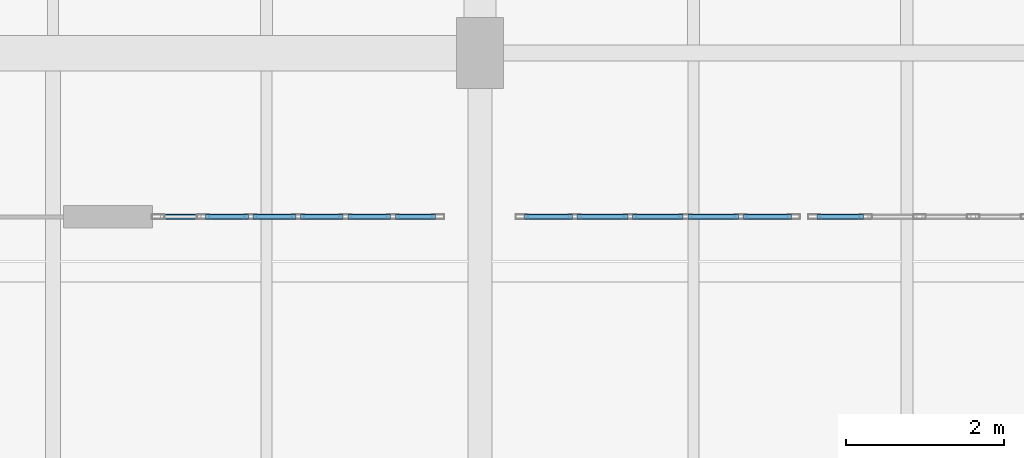
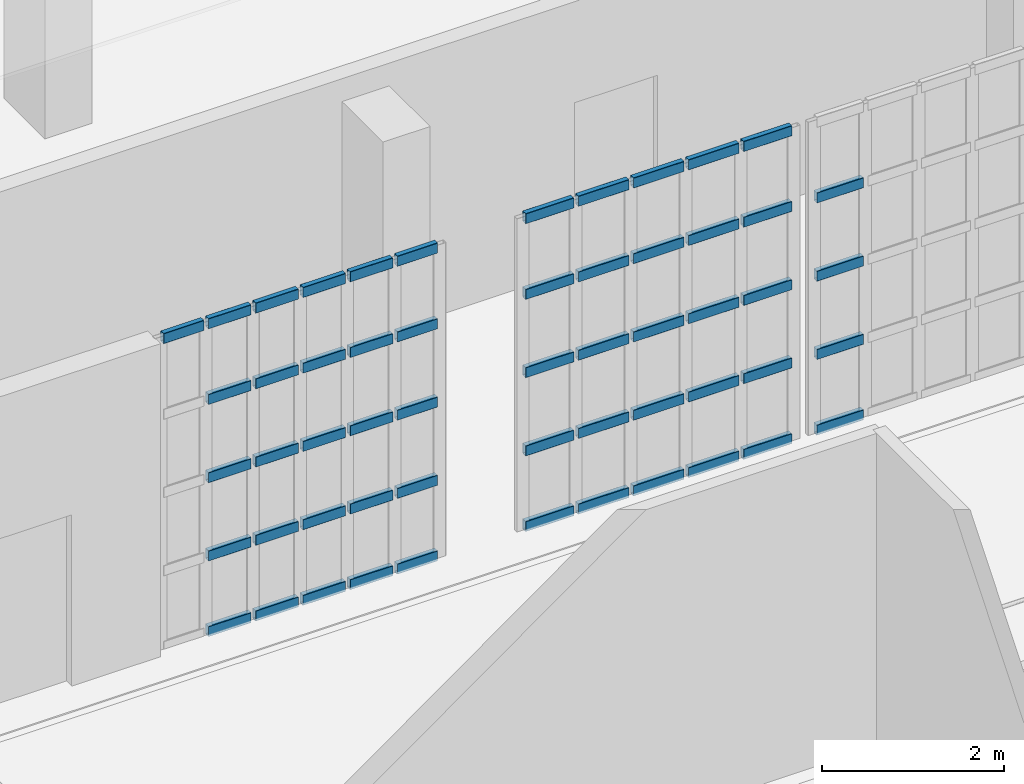
# One storey, part 39 of 73: 55 members, 3 elements without a shape of their own.
"""IFC4 building model written with IfcOpenShell, lengths in metres."""

import ifcopenshell
import ifcopenshell.guid

model = None  # the IFC model being written
_history = None  # IfcOwnerHistory: only IFC2X3 demands one
_inside = {}  # id of a spatial element -> (the spatial element, [elements in it])
_under = {}  # id of a project, library or spatial element -> (it, [spatial elements below it])
_declared = {}  # id of a project -> (the project, [libraries it declares])
_typed = {}  # id of a type object -> (the type object, [elements of that type])
_made_of = {}  # id of a material, layer set ... -> (it, [elements and type objects made of it])


def new_model(schema):
    """Start an empty IFC model of exactly this schema.

    Asked for "IFC4X3", IfcOpenShell would pick the latest addendum, in which some entities
    have other attributes; the version numbers below select the first issue.
    IFC2X3 requires an IfcOwnerHistory on every rooted entity: one is made here for all.
    """
    global model, _history
    if schema == "IFC4X3":
        model = ifcopenshell.file(schema_version=(4, 3, 0, 0))
    else:
        model = ifcopenshell.file(schema=schema)
    _inside.clear()
    _under.clear()
    _declared.clear()
    _typed.clear()
    _made_of.clear()
    _history = None
    if model.schema == "IFC2X3":
        org = make("IfcOrganization", Name="unknown")
        user = make(
            "IfcPersonAndOrganization",
            ThePerson=make("IfcPerson", FamilyName="unknown"),
            TheOrganization=org,
        )
        app = make(
            "IfcApplication",
            ApplicationDeveloper=org,
            Version="unknown",
            ApplicationFullName="unknown",
            ApplicationIdentifier="unknown",
        )
        _history = make(
            "IfcOwnerHistory",
            OwningUser=user,
            OwningApplication=app,
            ChangeAction="ADDED",
            CreationDate=0,
        )
    return model


def make(cls, **values):
    """One entity of the class cls with the attributes given. An attribute that is None is left unset."""
    return model.create_entity(
        cls, **{name: value for name, value in values.items() if value is not None}
    )


def rooted(cls, **values):
    """An entity with a GlobalId (a new one), such as an element, a storey or a relation."""
    return make(cls, GlobalId=ifcopenshell.guid.new(), OwnerHistory=_history, **values)


def si_unit(unit_type, name, prefix=None):
    """IfcSIUnit, for example si_unit("LENGTHUNIT", "METRE", prefix="MILLI")."""
    return make("IfcSIUnit", UnitType=unit_type, Prefix=prefix, Name=name)


def assignment(units):
    """IfcUnitAssignment: the units of a project."""
    return None if units is None else make("IfcUnitAssignment", Units=units)


def point(xyz):
    """IfcCartesianPoint."""
    return None if xyz is None else make("IfcCartesianPoint", Coordinates=xyz)


def direction(xyz):
    """IfcDirection."""
    return None if xyz is None else make("IfcDirection", DirectionRatios=xyz)


def frame(location, z_axis=None, x_axis=None):
    """IfcAxis2Placement3D, a coordinate frame: its origin and axes. An axis left out is left unset."""
    return make(
        "IfcAxis2Placement3D",
        Location=point(location),
        Axis=direction(z_axis),
        RefDirection=direction(x_axis),
    )


def frame_2d(location, x_axis=None):
    """IfcAxis2Placement2D, a coordinate frame in the plane: its origin and x axis."""
    return make(
        "IfcAxis2Placement2D", Location=point(location), RefDirection=direction(x_axis)
    )


def origin():
    """The frame at (0, 0, 0) with its axes left unset."""
    return frame((0.0, 0.0, 0.0))


def origin_2d():
    """The frame at (0, 0) in the plane with its x axis left unset."""
    return frame_2d((0.0, 0.0))


def place(relative_to, where):
    """IfcLocalPlacement: puts the frame where relative to a parent placement (None: the world)."""
    return make(
        "IfcLocalPlacement", PlacementRelTo=relative_to, RelativePlacement=where
    )


def context(
    kind, dimensions, precision=None, world=None, true_north=None, identifier=None
):
    """IfcGeometricRepresentationContext, for example the 3D "Model" context."""
    return make(
        "IfcGeometricRepresentationContext",
        ContextIdentifier=identifier,
        ContextType=kind,
        CoordinateSpaceDimension=dimensions,
        Precision=precision,
        WorldCoordinateSystem=world,
        TrueNorth=true_north,
    )


def subcontext(parent, identifier, kind, view, scale=None):
    """IfcGeometricRepresentationSubContext, for example "Body" below "Model"."""
    return make(
        "IfcGeometricRepresentationSubContext",
        ContextIdentifier=identifier,
        ContextType=kind,
        ParentContext=parent,
        TargetScale=scale,
        TargetView=view,
    )


def project(units=None, contexts=None):
    """IfcProject with its units and contexts."""
    return rooted(
        "IfcProject",
        Name="project",
        RepresentationContexts=contexts,
        UnitsInContext=assignment(units),
    )


def spatial(cls, under=None, at=None, **own):
    """A site, building, storey or space (cls), placed at a placement, below another one or the project."""
    s = rooted(cls, ObjectPlacement=at, **own)
    if under is not None:
        _under.setdefault(under.id(), (under, []))[1].append(s)
    return s


def profile(cls, at=None, kind="AREA", **sizes):
    """A parametric profile (cls). Its sizes go by their IFC names, for example OverallWidth=200.0."""
    return make(cls, ProfileType=kind, Position=at, **sizes)


def hollow_rectangle(**sizes):
    """IfcRectangleHollowProfileDef."""
    return profile("IfcRectangleHollowProfileDef", **sizes)


def extrude(swept, where, along, depth):
    """IfcExtrudedAreaSolid: the profile swept, set in the frame where, extruded along a direction by depth."""
    return make(
        "IfcExtrudedAreaSolid",
        SweptArea=swept,
        Position=where,
        ExtrudedDirection=direction(along),
        Depth=depth,
    )


def shape(context_of_items, identifier, shape_type, items):
    """IfcShapeRepresentation: the items that make up one representation, for example the "Body"."""
    return make(
        "IfcShapeRepresentation",
        ContextOfItems=context_of_items,
        RepresentationIdentifier=identifier,
        RepresentationType=shape_type,
        Items=items,
    )


def material(Name=None, Category=None):
    """IfcMaterial."""
    return make("IfcMaterial", Name=Name, Category=Category)


def material_profile(
    of_material, cross_section, Name=None, Category=None, Priority=None
):
    """IfcMaterialProfile: a cross section and its material."""
    return make(
        "IfcMaterialProfile",
        Name=Name,
        Material=of_material,
        Profile=cross_section,
        Priority=Priority,
        Category=Category,
    )


def profile_set(profiles, Name=None, composite=None):
    """IfcMaterialProfileSet."""
    return make(
        "IfcMaterialProfileSet",
        Name=Name,
        MaterialProfiles=profiles,
        CompositeProfile=composite,
    )


def made_of(thing, what):
    """Note that an element or type object is made of a material, layer set ...; save() writes the relation."""
    if what is not None:
        _made_of.setdefault(what.id(), (what, []))[1].append(thing)
    return thing


def type_object(cls, material=None, **own):
    """A type object (cls), such as IfcWallType, which elements share."""
    return made_of(rooted(cls, **own), material)


def element(
    cls,
    number,
    at=None,
    inside=None,
    cuts=None,
    type_object=None,
    material=None,
    context=None,
    identifier="Body",
    shape_type=None,
    held_by="IfcProductDefinitionShape",
    body=None,
    shapes=None,
    **own,
):
    """One element of the class cls, such as IfcWall. Its Tag is "e" and its number.

    at: its placement. inside: the storey or other place that contains it. cuts: it is an
    opening in that element (IfcRelVoidsElement). A single representation is given by context,
    identifier, shape_type and body (its items); several are given by shapes. held_by: the class
    of the entity that holds the representations. save() writes the other relations.
    """
    e = rooted(cls, Tag="e%d" % number, ObjectPlacement=at, **own)
    if body is not None:
        shapes = [shape(context, identifier, shape_type, body)]
    if shapes is not None:
        e.Representation = make(held_by, Representations=shapes)
    if inside is not None:
        _inside.setdefault(inside.id(), (inside, []))[1].append(e)
    if cuts is not None:
        rooted(
            "IfcRelVoidsElement", RelatingBuildingElement=cuts, RelatedOpeningElement=e
        )
    if type_object is not None:
        _typed.setdefault(type_object.id(), (type_object, []))[1].append(e)
    return made_of(e, material)


def aggregate(whole, parts):
    """IfcRelAggregates: a whole, such as a stair, and the parts it consists of."""
    return rooted("IfcRelAggregates", RelatingObject=whole, RelatedObjects=parts)


def save(model, path):
    """Write the relations noted so far, then the file.

    IfcRelAggregates (storeys below a building ...), IfcRelContainedInSpatialStructure (elements
    in a storey), IfcRelDefinesByType, IfcRelAssociatesMaterial and IfcRelDeclares: one each for
    every whole, place, type object, material and project.
    """
    for whole, parts in _under.values():
        aggregate(whole, parts)
    for where, things in _inside.values():
        rooted(
            "IfcRelContainedInSpatialStructure",
            RelatedElements=things,
            RelatingStructure=where,
        )
    for kind, things in _typed.values():
        rooted("IfcRelDefinesByType", RelatedObjects=things, RelatingType=kind)
    for what, things in _made_of.values():
        rooted("IfcRelAssociatesMaterial", RelatedObjects=things, RelatingMaterial=what)
    for by, libraries in _declared.values():
        rooted("IfcRelDeclares", RelatingContext=by, RelatedDefinitions=libraries)
    model.write(path)


model = new_model("IFC4")

# Units and contexts
model_context = context("Model", 3, precision=1e-05, world=origin(), true_north=direction((0.0, 1.0)))
body_context = subcontext(model_context, "Body", "Model", "MODEL_VIEW")
ifc_project = project(units=[si_unit("LENGTHUNIT", "METRE"), si_unit("AREAUNIT", "SQUARE_METRE"), si_unit("VOLUMEUNIT", "CUBIC_METRE"), si_unit("PLANEANGLEUNIT", "RADIAN"), si_unit("MASSUNIT", "GRAM", prefix="KILO")], contexts=[model_context])

# Site, building, storey
site_placement = place(None, origin())
site = spatial("IfcSite", under=ifc_project, at=site_placement, CompositionType="ELEMENT")
building_placement = place(site_placement, origin())
building = spatial("IfcBuilding", under=site, at=building_placement, Name="Kaelora Sail Theatre", CompositionType="ELEMENT")
storey_placement = place(building_placement, frame((0.0, 0.0, 10.199951171875)))
storey = spatial("IfcBuildingStorey", under=building, at=storey_placement, Name="L02", CompositionType="ELEMENT", Elevation=10.199951171875)

# Curtain wall, members
ifc_material_1 = material(Name="Anodised aluminium and solar-control low-E IGU", Category="aluminium")
curtain_wall_type = type_object("IfcCurtainWallType", Name="ARC-CW-CW-BRG", PredefinedType="NOTDEFINED", material=ifc_material_1)
curtain_wall_1_placement = place(storey_placement, origin())
curtain_wall_1 = element("IfcCurtainWall", 1, at=curtain_wall_1_placement, inside=storey, type_object=curtain_wall_type, Name="Glazed Foyer/Conservatory Curtain Wall FC2-S-L02-01", PredefinedType="NOTDEFINED")
ifc_material_2 = material(Name="Anodised aluminium 6063-T6", Category="aluminium")
ifc_material_profile = material_profile(ifc_material_2, hollow_rectangle(XDim=0.070068359375, YDim=0.139892578125, WallThickness=0.00390625, InnerFilletRadius=0.00390625, OuterFilletRadius=0.008056640625, at=origin_2d()), Name="ALU-TRAN 70x140x4")
ifc_profile_set = profile_set([ifc_material_profile], Name="Anodised aluminium 6063-T6")
member_type = type_object("IfcMemberType", Name="ARC-MEM-TR-140", PredefinedType="USERDEFINED", material=ifc_profile_set)
member_1_placement = place(storey_placement, frame((94.659912109375, 66.389892578125, 4.170166015625), z_axis=(1.0, 0.0, 0.0), x_axis=(0.0, 1.0, 0.0)))
member_1 = element("IfcMember", 2, at=member_1_placement, type_object=member_type, Name="CW-BRG transom 1.5", ObjectType="TRANSOM", PredefinedType="USERDEFINED", context=body_context, shape_type="SweptSolid", body=[
    extrude(hollow_rectangle(XDim=0.070068359375, YDim=0.139892578125, WallThickness=0.00390625, InnerFilletRadius=0.00390625, OuterFilletRadius=0.008056640625, at=origin_2d()), origin(), (0.0, 0.0, 1.0), 0.510009765625),
])
member_2_placement = place(storey_placement, frame((95.22998046875, 66.389892578125, 0.03515625), z_axis=(1.0, 0.0, 0.0), x_axis=(0.0, 1.0, 0.0)))
member_2 = element("IfcMember", 3, at=member_2_placement, type_object=member_type, Name="CW-BRG transom 2.1", ObjectType="TRANSOM", PredefinedType="USERDEFINED", context=body_context, shape_type="SweptSolid", body=[
    extrude(hollow_rectangle(XDim=0.070068359375, YDim=0.139892578125, WallThickness=0.00390625, InnerFilletRadius=0.00390625, OuterFilletRadius=0.008056640625, at=origin_2d()), origin(), (0.0, 0.0, 1.0), 0.5400390625),
])
member_3_placement = place(storey_placement, frame((95.22998046875, 66.389892578125, 1.05126953125), z_axis=(1.0, 0.0, 0.0), x_axis=(0.0, 1.0, 0.0)))
member_3 = element("IfcMember", 4, at=member_3_placement, type_object=member_type, Name="CW-BRG transom 2.2", ObjectType="TRANSOM", PredefinedType="USERDEFINED", context=body_context, shape_type="SweptSolid", body=[
    extrude(hollow_rectangle(XDim=0.070068359375, YDim=0.139892578125, WallThickness=0.00390625, InnerFilletRadius=0.00390625, OuterFilletRadius=0.008056640625, at=origin_2d()), origin(), (0.0, 0.0, 1.0), 0.5400390625),
])
member_4_placement = place(storey_placement, frame((95.22998046875, 66.389892578125, 2.1025390625), z_axis=(1.0, 0.0, 0.0), x_axis=(0.0, 1.0, 0.0)))
member_4 = element("IfcMember", 5, at=member_4_placement, type_object=member_type, Name="CW-BRG transom 2.3", ObjectType="TRANSOM", PredefinedType="USERDEFINED", context=body_context, shape_type="SweptSolid", body=[
    extrude(hollow_rectangle(XDim=0.070068359375, YDim=0.139892578125, WallThickness=0.00390625, InnerFilletRadius=0.00390625, OuterFilletRadius=0.008056640625, at=origin_2d()), origin(), (0.0, 0.0, 1.0), 0.5400390625),
])
member_5_placement = place(storey_placement, frame((95.22998046875, 66.389892578125, 3.15380859375), z_axis=(1.0, 0.0, 0.0), x_axis=(0.0, 1.0, 0.0)))
member_5 = element("IfcMember", 6, at=member_5_placement, type_object=member_type, Name="CW-BRG transom 2.4", ObjectType="TRANSOM", PredefinedType="USERDEFINED", context=body_context, shape_type="SweptSolid", body=[
    extrude(hollow_rectangle(XDim=0.070068359375, YDim=0.139892578125, WallThickness=0.00390625, InnerFilletRadius=0.00390625, OuterFilletRadius=0.008056640625, at=origin_2d()), origin(), (0.0, 0.0, 1.0), 0.5400390625),
])
member_6_placement = place(storey_placement, frame((95.22998046875, 66.389892578125, 4.170166015625), z_axis=(1.0, 0.0, 0.0), x_axis=(0.0, 1.0, 0.0)))
member_6 = element("IfcMember", 7, at=member_6_placement, type_object=member_type, Name="CW-BRG transom 2.5", ObjectType="TRANSOM", PredefinedType="USERDEFINED", context=body_context, shape_type="SweptSolid", body=[
    extrude(hollow_rectangle(XDim=0.070068359375, YDim=0.139892578125, WallThickness=0.00390625, InnerFilletRadius=0.00390625, OuterFilletRadius=0.008056640625, at=origin_2d()), origin(), (0.0, 0.0, 1.0), 0.5400390625),
])
member_7_placement = place(storey_placement, frame((95.830078125, 66.389892578125, 0.03515625), z_axis=(1.0, 0.0, 0.0), x_axis=(0.0, 1.0, 0.0)))
member_7 = element("IfcMember", 8, at=member_7_placement, type_object=member_type, Name="CW-BRG transom 3.1", ObjectType="TRANSOM", PredefinedType="USERDEFINED", context=body_context, shape_type="SweptSolid", body=[
    extrude(hollow_rectangle(XDim=0.070068359375, YDim=0.139892578125, WallThickness=0.00390625, InnerFilletRadius=0.00390625, OuterFilletRadius=0.008056640625, at=origin_2d()), origin(), (0.0, 0.0, 1.0), 0.5400390625),
])
member_8_placement = place(storey_placement, frame((95.830078125, 66.389892578125, 1.05126953125), z_axis=(1.0, 0.0, 0.0), x_axis=(0.0, 1.0, 0.0)))
member_8 = element("IfcMember", 9, at=member_8_placement, type_object=member_type, Name="CW-BRG transom 3.2", ObjectType="TRANSOM", PredefinedType="USERDEFINED", context=body_context, shape_type="SweptSolid", body=[
    extrude(hollow_rectangle(XDim=0.070068359375, YDim=0.139892578125, WallThickness=0.00390625, InnerFilletRadius=0.00390625, OuterFilletRadius=0.008056640625, at=origin_2d()), origin(), (0.0, 0.0, 1.0), 0.5400390625),
])
member_9_placement = place(storey_placement, frame((95.830078125, 66.389892578125, 2.1025390625), z_axis=(1.0, 0.0, 0.0), x_axis=(0.0, 1.0, 0.0)))
member_9 = element("IfcMember", 10, at=member_9_placement, type_object=member_type, Name="CW-BRG transom 3.3", ObjectType="TRANSOM", PredefinedType="USERDEFINED", context=body_context, shape_type="SweptSolid", body=[
    extrude(hollow_rectangle(XDim=0.070068359375, YDim=0.139892578125, WallThickness=0.00390625, InnerFilletRadius=0.00390625, OuterFilletRadius=0.008056640625, at=origin_2d()), origin(), (0.0, 0.0, 1.0), 0.5400390625),
])
member_10_placement = place(storey_placement, frame((95.830078125, 66.389892578125, 3.15380859375), z_axis=(1.0, 0.0, 0.0), x_axis=(0.0, 1.0, 0.0)))
member_10 = element("IfcMember", 11, at=member_10_placement, type_object=member_type, Name="CW-BRG transom 3.4", ObjectType="TRANSOM", PredefinedType="USERDEFINED", context=body_context, shape_type="SweptSolid", body=[
    extrude(hollow_rectangle(XDim=0.070068359375, YDim=0.139892578125, WallThickness=0.00390625, InnerFilletRadius=0.00390625, OuterFilletRadius=0.008056640625, at=origin_2d()), origin(), (0.0, 0.0, 1.0), 0.5400390625),
])
member_11_placement = place(storey_placement, frame((95.830078125, 66.389892578125, 4.170166015625), z_axis=(1.0, 0.0, 0.0), x_axis=(0.0, 1.0, 0.0)))
member_11 = element("IfcMember", 12, at=member_11_placement, type_object=member_type, Name="CW-BRG transom 3.5", ObjectType="TRANSOM", PredefinedType="USERDEFINED", context=body_context, shape_type="SweptSolid", body=[
    extrude(hollow_rectangle(XDim=0.070068359375, YDim=0.139892578125, WallThickness=0.00390625, InnerFilletRadius=0.00390625, OuterFilletRadius=0.008056640625, at=origin_2d()), origin(), (0.0, 0.0, 1.0), 0.5400390625),
])
member_12_placement = place(storey_placement, frame((96.429931640625, 66.389892578125, 0.03515625), z_axis=(1.0, 0.0, 0.0), x_axis=(0.0, 1.0, 0.0)))
member_12 = element("IfcMember", 13, at=member_12_placement, type_object=member_type, Name="CW-BRG transom 4.1", ObjectType="TRANSOM", PredefinedType="USERDEFINED", context=body_context, shape_type="SweptSolid", body=[
    extrude(hollow_rectangle(XDim=0.070068359375, YDim=0.139892578125, WallThickness=0.00390625, InnerFilletRadius=0.00390625, OuterFilletRadius=0.008056640625, at=origin_2d()), origin(), (0.0, 0.0, 1.0), 0.5400390625),
])
member_13_placement = place(storey_placement, frame((96.429931640625, 66.389892578125, 1.05126953125), z_axis=(1.0, 0.0, 0.0), x_axis=(0.0, 1.0, 0.0)))
member_13 = element("IfcMember", 14, at=member_13_placement, type_object=member_type, Name="CW-BRG transom 4.2", ObjectType="TRANSOM", PredefinedType="USERDEFINED", context=body_context, shape_type="SweptSolid", body=[
    extrude(hollow_rectangle(XDim=0.070068359375, YDim=0.139892578125, WallThickness=0.00390625, InnerFilletRadius=0.00390625, OuterFilletRadius=0.008056640625, at=origin_2d()), origin(), (0.0, 0.0, 1.0), 0.5400390625),
])
member_14_placement = place(storey_placement, frame((96.429931640625, 66.389892578125, 2.1025390625), z_axis=(1.0, 0.0, 0.0), x_axis=(0.0, 1.0, 0.0)))
member_14 = element("IfcMember", 15, at=member_14_placement, type_object=member_type, Name="CW-BRG transom 4.3", ObjectType="TRANSOM", PredefinedType="USERDEFINED", context=body_context, shape_type="SweptSolid", body=[
    extrude(hollow_rectangle(XDim=0.070068359375, YDim=0.139892578125, WallThickness=0.00390625, InnerFilletRadius=0.00390625, OuterFilletRadius=0.008056640625, at=origin_2d()), origin(), (0.0, 0.0, 1.0), 0.5400390625),
])
member_15_placement = place(storey_placement, frame((96.429931640625, 66.389892578125, 3.15380859375), z_axis=(1.0, 0.0, 0.0), x_axis=(0.0, 1.0, 0.0)))
member_15 = element("IfcMember", 16, at=member_15_placement, type_object=member_type, Name="CW-BRG transom 4.4", ObjectType="TRANSOM", PredefinedType="USERDEFINED", context=body_context, shape_type="SweptSolid", body=[
    extrude(hollow_rectangle(XDim=0.070068359375, YDim=0.139892578125, WallThickness=0.00390625, InnerFilletRadius=0.00390625, OuterFilletRadius=0.008056640625, at=origin_2d()), origin(), (0.0, 0.0, 1.0), 0.5400390625),
])
member_16_placement = place(storey_placement, frame((96.429931640625, 66.389892578125, 4.170166015625), z_axis=(1.0, 0.0, 0.0), x_axis=(0.0, 1.0, 0.0)))
member_16 = element("IfcMember", 17, at=member_16_placement, type_object=member_type, Name="CW-BRG transom 4.5", ObjectType="TRANSOM", PredefinedType="USERDEFINED", context=body_context, shape_type="SweptSolid", body=[
    extrude(hollow_rectangle(XDim=0.070068359375, YDim=0.139892578125, WallThickness=0.00390625, InnerFilletRadius=0.00390625, OuterFilletRadius=0.008056640625, at=origin_2d()), origin(), (0.0, 0.0, 1.0), 0.5400390625),
])
member_17_placement = place(storey_placement, frame((97.030029296875, 66.389892578125, 0.03515625), z_axis=(1.0, 0.0, 0.0), x_axis=(0.0, 1.0, 0.0)))
member_17 = element("IfcMember", 18, at=member_17_placement, type_object=member_type, Name="CW-BRG transom 5.1", ObjectType="TRANSOM", PredefinedType="USERDEFINED", context=body_context, shape_type="SweptSolid", body=[
    extrude(hollow_rectangle(XDim=0.070068359375, YDim=0.139892578125, WallThickness=0.00390625, InnerFilletRadius=0.00390625, OuterFilletRadius=0.008056640625, at=origin_2d()), origin(), (0.0, 0.0, 1.0), 0.5400390625),
])
member_18_placement = place(storey_placement, frame((97.030029296875, 66.389892578125, 1.05126953125), z_axis=(1.0, 0.0, 0.0), x_axis=(0.0, 1.0, 0.0)))
member_18 = element("IfcMember", 19, at=member_18_placement, type_object=member_type, Name="CW-BRG transom 5.2", ObjectType="TRANSOM", PredefinedType="USERDEFINED", context=body_context, shape_type="SweptSolid", body=[
    extrude(hollow_rectangle(XDim=0.070068359375, YDim=0.139892578125, WallThickness=0.00390625, InnerFilletRadius=0.00390625, OuterFilletRadius=0.008056640625, at=origin_2d()), origin(), (0.0, 0.0, 1.0), 0.5400390625),
])
member_19_placement = place(storey_placement, frame((97.030029296875, 66.389892578125, 2.1025390625), z_axis=(1.0, 0.0, 0.0), x_axis=(0.0, 1.0, 0.0)))
member_19 = element("IfcMember", 20, at=member_19_placement, type_object=member_type, Name="CW-BRG transom 5.3", ObjectType="TRANSOM", PredefinedType="USERDEFINED", context=body_context, shape_type="SweptSolid", body=[
    extrude(hollow_rectangle(XDim=0.070068359375, YDim=0.139892578125, WallThickness=0.00390625, InnerFilletRadius=0.00390625, OuterFilletRadius=0.008056640625, at=origin_2d()), origin(), (0.0, 0.0, 1.0), 0.5400390625),
])
member_20_placement = place(storey_placement, frame((97.030029296875, 66.389892578125, 3.15380859375), z_axis=(1.0, 0.0, 0.0), x_axis=(0.0, 1.0, 0.0)))
member_20 = element("IfcMember", 21, at=member_20_placement, type_object=member_type, Name="CW-BRG transom 5.4", ObjectType="TRANSOM", PredefinedType="USERDEFINED", context=body_context, shape_type="SweptSolid", body=[
    extrude(hollow_rectangle(XDim=0.070068359375, YDim=0.139892578125, WallThickness=0.00390625, InnerFilletRadius=0.00390625, OuterFilletRadius=0.008056640625, at=origin_2d()), origin(), (0.0, 0.0, 1.0), 0.5400390625),
])
member_21_placement = place(storey_placement, frame((97.030029296875, 66.389892578125, 4.170166015625), z_axis=(1.0, 0.0, 0.0), x_axis=(0.0, 1.0, 0.0)))
member_21 = element("IfcMember", 22, at=member_21_placement, type_object=member_type, Name="CW-BRG transom 5.5", ObjectType="TRANSOM", PredefinedType="USERDEFINED", context=body_context, shape_type="SweptSolid", body=[
    extrude(hollow_rectangle(XDim=0.070068359375, YDim=0.139892578125, WallThickness=0.00390625, InnerFilletRadius=0.00390625, OuterFilletRadius=0.008056640625, at=origin_2d()), origin(), (0.0, 0.0, 1.0), 0.5400390625),
])
member_22_placement = place(storey_placement, frame((97.6298828125, 66.389892578125, 0.03515625), z_axis=(1.0, 0.0, 0.0), x_axis=(0.0, 1.0, 0.0)))
member_22 = element("IfcMember", 23, at=member_22_placement, type_object=member_type, Name="CW-BRG transom 6.1", ObjectType="TRANSOM", PredefinedType="USERDEFINED", context=body_context, shape_type="SweptSolid", body=[
    extrude(hollow_rectangle(XDim=0.070068359375, YDim=0.139892578125, WallThickness=0.00390625, InnerFilletRadius=0.00390625, OuterFilletRadius=0.008056640625, at=origin_2d()), origin(), (0.0, 0.0, 1.0), 0.510009765625),
])
member_23_placement = place(storey_placement, frame((97.6298828125, 66.389892578125, 1.05126953125), z_axis=(1.0, 0.0, 0.0), x_axis=(0.0, 1.0, 0.0)))
member_23 = element("IfcMember", 24, at=member_23_placement, type_object=member_type, Name="CW-BRG transom 6.2", ObjectType="TRANSOM", PredefinedType="USERDEFINED", context=body_context, shape_type="SweptSolid", body=[
    extrude(hollow_rectangle(XDim=0.070068359375, YDim=0.139892578125, WallThickness=0.00390625, InnerFilletRadius=0.00390625, OuterFilletRadius=0.008056640625, at=origin_2d()), origin(), (0.0, 0.0, 1.0), 0.510009765625),
])
member_24_placement = place(storey_placement, frame((97.6298828125, 66.389892578125, 2.1025390625), z_axis=(1.0, 0.0, 0.0), x_axis=(0.0, 1.0, 0.0)))
member_24 = element("IfcMember", 25, at=member_24_placement, type_object=member_type, Name="CW-BRG transom 6.3", ObjectType="TRANSOM", PredefinedType="USERDEFINED", context=body_context, shape_type="SweptSolid", body=[
    extrude(hollow_rectangle(XDim=0.070068359375, YDim=0.139892578125, WallThickness=0.00390625, InnerFilletRadius=0.00390625, OuterFilletRadius=0.008056640625, at=origin_2d()), origin(), (0.0, 0.0, 1.0), 0.510009765625),
])
member_25_placement = place(storey_placement, frame((97.6298828125, 66.389892578125, 3.15380859375), z_axis=(1.0, 0.0, 0.0), x_axis=(0.0, 1.0, 0.0)))
member_25 = element("IfcMember", 26, at=member_25_placement, type_object=member_type, Name="CW-BRG transom 6.4", ObjectType="TRANSOM", PredefinedType="USERDEFINED", context=body_context, shape_type="SweptSolid", body=[
    extrude(hollow_rectangle(XDim=0.070068359375, YDim=0.139892578125, WallThickness=0.00390625, InnerFilletRadius=0.00390625, OuterFilletRadius=0.008056640625, at=origin_2d()), origin(), (0.0, 0.0, 1.0), 0.510009765625),
])
member_26_placement = place(storey_placement, frame((97.6298828125, 66.389892578125, 4.170166015625), z_axis=(1.0, 0.0, 0.0), x_axis=(0.0, 1.0, 0.0)))
member_26 = element("IfcMember", 27, at=member_26_placement, type_object=member_type, Name="CW-BRG transom 6.5", ObjectType="TRANSOM", PredefinedType="USERDEFINED", context=body_context, shape_type="SweptSolid", body=[
    extrude(hollow_rectangle(XDim=0.070068359375, YDim=0.139892578125, WallThickness=0.00390625, InnerFilletRadius=0.00390625, OuterFilletRadius=0.008056640625, at=origin_2d()), origin(), (0.0, 0.0, 1.0), 0.510009765625),
])
aggregate(curtain_wall_1, [member_1, member_2, member_3, member_4, member_5, member_6, member_7, member_8, member_9, member_10, member_11, member_12, member_13, member_14, member_15, member_16, member_17, member_18, member_19, member_20, member_21, member_22, member_23, member_24, member_25, member_26])

curtain_wall_2_placement = place(storey_placement, origin())
curtain_wall_2 = element("IfcCurtainWall", 28, at=curtain_wall_2_placement, inside=storey, type_object=curtain_wall_type, Name="Glazed Foyer/Conservatory Curtain Wall FC2-S-L02-02", PredefinedType="NOTDEFINED")
member_27_placement = place(storey_placement, frame((99.260009765625, 66.389892578125, 0.03515625), z_axis=(1.0, 0.0, 0.0), x_axis=(0.0, 1.0, 0.0)))
member_27 = element("IfcMember", 29, at=member_27_placement, type_object=member_type, Name="CW-BRG transom 1.1", ObjectType="TRANSOM", PredefinedType="USERDEFINED", context=body_context, shape_type="SweptSolid", body=[
    extrude(hollow_rectangle(XDim=0.070068359375, YDim=0.139892578125, WallThickness=0.00390625, InnerFilletRadius=0.00390625, OuterFilletRadius=0.008056640625, at=origin_2d()), origin(), (0.0, 0.0, 1.0), 0.610107421875),
])
member_28_placement = place(storey_placement, frame((99.260009765625, 66.389892578125, 1.05126953125), z_axis=(1.0, 0.0, 0.0), x_axis=(0.0, 1.0, 0.0)))
member_28 = element("IfcMember", 30, at=member_28_placement, type_object=member_type, Name="CW-BRG transom 1.2", ObjectType="TRANSOM", PredefinedType="USERDEFINED", context=body_context, shape_type="SweptSolid", body=[
    extrude(hollow_rectangle(XDim=0.070068359375, YDim=0.139892578125, WallThickness=0.00390625, InnerFilletRadius=0.00390625, OuterFilletRadius=0.008056640625, at=origin_2d()), origin(), (0.0, 0.0, 1.0), 0.610107421875),
])
member_29_placement = place(storey_placement, frame((99.260009765625, 66.389892578125, 2.1025390625), z_axis=(1.0, 0.0, 0.0), x_axis=(0.0, 1.0, 0.0)))
member_29 = element("IfcMember", 31, at=member_29_placement, type_object=member_type, Name="CW-BRG transom 1.3", ObjectType="TRANSOM", PredefinedType="USERDEFINED", context=body_context, shape_type="SweptSolid", body=[
    extrude(hollow_rectangle(XDim=0.070068359375, YDim=0.139892578125, WallThickness=0.00390625, InnerFilletRadius=0.00390625, OuterFilletRadius=0.008056640625, at=origin_2d()), origin(), (0.0, 0.0, 1.0), 0.610107421875),
])
member_30_placement = place(storey_placement, frame((99.260009765625, 66.389892578125, 3.15380859375), z_axis=(1.0, 0.0, 0.0), x_axis=(0.0, 1.0, 0.0)))
member_30 = element("IfcMember", 32, at=member_30_placement, type_object=member_type, Name="CW-BRG transom 1.4", ObjectType="TRANSOM", PredefinedType="USERDEFINED", context=body_context, shape_type="SweptSolid", body=[
    extrude(hollow_rectangle(XDim=0.070068359375, YDim=0.139892578125, WallThickness=0.00390625, InnerFilletRadius=0.00390625, OuterFilletRadius=0.008056640625, at=origin_2d()), origin(), (0.0, 0.0, 1.0), 0.610107421875),
])
member_31_placement = place(storey_placement, frame((99.260009765625, 66.389892578125, 4.170166015625), z_axis=(1.0, 0.0, 0.0), x_axis=(0.0, 1.0, 0.0)))
member_31 = element("IfcMember", 33, at=member_31_placement, type_object=member_type, Name="CW-BRG transom 1.5", ObjectType="TRANSOM", PredefinedType="USERDEFINED", context=body_context, shape_type="SweptSolid", body=[
    extrude(hollow_rectangle(XDim=0.070068359375, YDim=0.139892578125, WallThickness=0.00390625, InnerFilletRadius=0.00390625, OuterFilletRadius=0.008056640625, at=origin_2d()), origin(), (0.0, 0.0, 1.0), 0.610107421875),
])
member_32_placement = place(storey_placement, frame((99.929931640625, 66.389892578125, 0.03515625), z_axis=(1.0, 0.0, 0.0), x_axis=(0.0, 1.0, 0.0)))
member_32 = element("IfcMember", 34, at=member_32_placement, type_object=member_type, Name="CW-BRG transom 2.1", ObjectType="TRANSOM", PredefinedType="USERDEFINED", context=body_context, shape_type="SweptSolid", body=[
    extrude(hollow_rectangle(XDim=0.070068359375, YDim=0.139892578125, WallThickness=0.00390625, InnerFilletRadius=0.00390625, OuterFilletRadius=0.008056640625, at=origin_2d()), origin(), (0.0, 0.0, 1.0), 0.64013671875),
])
member_33_placement = place(storey_placement, frame((99.929931640625, 66.389892578125, 1.05126953125), z_axis=(1.0, 0.0, 0.0), x_axis=(0.0, 1.0, 0.0)))
member_33 = element("IfcMember", 35, at=member_33_placement, type_object=member_type, Name="CW-BRG transom 2.2", ObjectType="TRANSOM", PredefinedType="USERDEFINED", context=body_context, shape_type="SweptSolid", body=[
    extrude(hollow_rectangle(XDim=0.070068359375, YDim=0.139892578125, WallThickness=0.00390625, InnerFilletRadius=0.00390625, OuterFilletRadius=0.008056640625, at=origin_2d()), origin(), (0.0, 0.0, 1.0), 0.64013671875),
])
member_34_placement = place(storey_placement, frame((99.929931640625, 66.389892578125, 2.1025390625), z_axis=(1.0, 0.0, 0.0), x_axis=(0.0, 1.0, 0.0)))
member_34 = element("IfcMember", 36, at=member_34_placement, type_object=member_type, Name="CW-BRG transom 2.3", ObjectType="TRANSOM", PredefinedType="USERDEFINED", context=body_context, shape_type="SweptSolid", body=[
    extrude(hollow_rectangle(XDim=0.070068359375, YDim=0.139892578125, WallThickness=0.00390625, InnerFilletRadius=0.00390625, OuterFilletRadius=0.008056640625, at=origin_2d()), origin(), (0.0, 0.0, 1.0), 0.64013671875),
])
member_35_placement = place(storey_placement, frame((99.929931640625, 66.389892578125, 3.15380859375), z_axis=(1.0, 0.0, 0.0), x_axis=(0.0, 1.0, 0.0)))
member_35 = element("IfcMember", 37, at=member_35_placement, type_object=member_type, Name="CW-BRG transom 2.4", ObjectType="TRANSOM", PredefinedType="USERDEFINED", context=body_context, shape_type="SweptSolid", body=[
    extrude(hollow_rectangle(XDim=0.070068359375, YDim=0.139892578125, WallThickness=0.00390625, InnerFilletRadius=0.00390625, OuterFilletRadius=0.008056640625, at=origin_2d()), origin(), (0.0, 0.0, 1.0), 0.64013671875),
])
member_36_placement = place(storey_placement, frame((99.929931640625, 66.389892578125, 4.170166015625), z_axis=(1.0, 0.0, 0.0), x_axis=(0.0, 1.0, 0.0)))
member_36 = element("IfcMember", 38, at=member_36_placement, type_object=member_type, Name="CW-BRG transom 2.5", ObjectType="TRANSOM", PredefinedType="USERDEFINED", context=body_context, shape_type="SweptSolid", body=[
    extrude(hollow_rectangle(XDim=0.070068359375, YDim=0.139892578125, WallThickness=0.00390625, InnerFilletRadius=0.00390625, OuterFilletRadius=0.008056640625, at=origin_2d()), origin(), (0.0, 0.0, 1.0), 0.64013671875),
])
member_37_placement = place(storey_placement, frame((100.6298828125, 66.389892578125, 0.03515625), z_axis=(1.0, 0.0, 0.0), x_axis=(0.0, 1.0, 0.0)))
member_37 = element("IfcMember", 39, at=member_37_placement, type_object=member_type, Name="CW-BRG transom 3.1", ObjectType="TRANSOM", PredefinedType="USERDEFINED", context=body_context, shape_type="SweptSolid", body=[
    extrude(hollow_rectangle(XDim=0.070068359375, YDim=0.139892578125, WallThickness=0.00390625, InnerFilletRadius=0.00390625, OuterFilletRadius=0.008056640625, at=origin_2d()), origin(), (0.0, 0.0, 1.0), 0.64013671875),
])
member_38_placement = place(storey_placement, frame((100.6298828125, 66.389892578125, 1.05126953125), z_axis=(1.0, 0.0, 0.0), x_axis=(0.0, 1.0, 0.0)))
member_38 = element("IfcMember", 40, at=member_38_placement, type_object=member_type, Name="CW-BRG transom 3.2", ObjectType="TRANSOM", PredefinedType="USERDEFINED", context=body_context, shape_type="SweptSolid", body=[
    extrude(hollow_rectangle(XDim=0.070068359375, YDim=0.139892578125, WallThickness=0.00390625, InnerFilletRadius=0.00390625, OuterFilletRadius=0.008056640625, at=origin_2d()), origin(), (0.0, 0.0, 1.0), 0.64013671875),
])
member_39_placement = place(storey_placement, frame((100.6298828125, 66.389892578125, 2.1025390625), z_axis=(1.0, 0.0, 0.0), x_axis=(0.0, 1.0, 0.0)))
member_39 = element("IfcMember", 41, at=member_39_placement, type_object=member_type, Name="CW-BRG transom 3.3", ObjectType="TRANSOM", PredefinedType="USERDEFINED", context=body_context, shape_type="SweptSolid", body=[
    extrude(hollow_rectangle(XDim=0.070068359375, YDim=0.139892578125, WallThickness=0.00390625, InnerFilletRadius=0.00390625, OuterFilletRadius=0.008056640625, at=origin_2d()), origin(), (0.0, 0.0, 1.0), 0.64013671875),
])
member_40_placement = place(storey_placement, frame((100.6298828125, 66.389892578125, 3.15380859375), z_axis=(1.0, 0.0, 0.0), x_axis=(0.0, 1.0, 0.0)))
member_40 = element("IfcMember", 42, at=member_40_placement, type_object=member_type, Name="CW-BRG transom 3.4", ObjectType="TRANSOM", PredefinedType="USERDEFINED", context=body_context, shape_type="SweptSolid", body=[
    extrude(hollow_rectangle(XDim=0.070068359375, YDim=0.139892578125, WallThickness=0.00390625, InnerFilletRadius=0.00390625, OuterFilletRadius=0.008056640625, at=origin_2d()), origin(), (0.0, 0.0, 1.0), 0.64013671875),
])
member_41_placement = place(storey_placement, frame((100.6298828125, 66.389892578125, 4.170166015625), z_axis=(1.0, 0.0, 0.0), x_axis=(0.0, 1.0, 0.0)))
member_41 = element("IfcMember", 43, at=member_41_placement, type_object=member_type, Name="CW-BRG transom 3.5", ObjectType="TRANSOM", PredefinedType="USERDEFINED", context=body_context, shape_type="SweptSolid", body=[
    extrude(hollow_rectangle(XDim=0.070068359375, YDim=0.139892578125, WallThickness=0.00390625, InnerFilletRadius=0.00390625, OuterFilletRadius=0.008056640625, at=origin_2d()), origin(), (0.0, 0.0, 1.0), 0.64013671875),
])
member_42_placement = place(storey_placement, frame((101.330078125, 66.389892578125, 0.03515625), z_axis=(1.0, 0.0, 0.0), x_axis=(0.0, 1.0, 0.0)))
member_42 = element("IfcMember", 44, at=member_42_placement, type_object=member_type, Name="CW-BRG transom 4.1", ObjectType="TRANSOM", PredefinedType="USERDEFINED", context=body_context, shape_type="SweptSolid", body=[
    extrude(hollow_rectangle(XDim=0.070068359375, YDim=0.139892578125, WallThickness=0.00390625, InnerFilletRadius=0.00390625, OuterFilletRadius=0.008056640625, at=origin_2d()), origin(), (0.0, 0.0, 1.0), 0.639892578125),
])
member_43_placement = place(storey_placement, frame((101.330078125, 66.389892578125, 1.05126953125), z_axis=(1.0, 0.0, 0.0), x_axis=(0.0, 1.0, 0.0)))
member_43 = element("IfcMember", 45, at=member_43_placement, type_object=member_type, Name="CW-BRG transom 4.2", ObjectType="TRANSOM", PredefinedType="USERDEFINED", context=body_context, shape_type="SweptSolid", body=[
    extrude(hollow_rectangle(XDim=0.070068359375, YDim=0.139892578125, WallThickness=0.00390625, InnerFilletRadius=0.00390625, OuterFilletRadius=0.008056640625, at=origin_2d()), origin(), (0.0, 0.0, 1.0), 0.639892578125),
])
member_44_placement = place(storey_placement, frame((101.330078125, 66.389892578125, 2.1025390625), z_axis=(1.0, 0.0, 0.0), x_axis=(0.0, 1.0, 0.0)))
member_44 = element("IfcMember", 46, at=member_44_placement, type_object=member_type, Name="CW-BRG transom 4.3", ObjectType="TRANSOM", PredefinedType="USERDEFINED", context=body_context, shape_type="SweptSolid", body=[
    extrude(hollow_rectangle(XDim=0.070068359375, YDim=0.139892578125, WallThickness=0.00390625, InnerFilletRadius=0.00390625, OuterFilletRadius=0.008056640625, at=origin_2d()), origin(), (0.0, 0.0, 1.0), 0.639892578125),
])
member_45_placement = place(storey_placement, frame((101.330078125, 66.389892578125, 3.15380859375), z_axis=(1.0, 0.0, 0.0), x_axis=(0.0, 1.0, 0.0)))
member_45 = element("IfcMember", 47, at=member_45_placement, type_object=member_type, Name="CW-BRG transom 4.4", ObjectType="TRANSOM", PredefinedType="USERDEFINED", context=body_context, shape_type="SweptSolid", body=[
    extrude(hollow_rectangle(XDim=0.070068359375, YDim=0.139892578125, WallThickness=0.00390625, InnerFilletRadius=0.00390625, OuterFilletRadius=0.008056640625, at=origin_2d()), origin(), (0.0, 0.0, 1.0), 0.639892578125),
])
member_46_placement = place(storey_placement, frame((101.330078125, 66.389892578125, 4.170166015625), z_axis=(1.0, 0.0, 0.0), x_axis=(0.0, 1.0, 0.0)))
member_46 = element("IfcMember", 48, at=member_46_placement, type_object=member_type, Name="CW-BRG transom 4.5", ObjectType="TRANSOM", PredefinedType="USERDEFINED", context=body_context, shape_type="SweptSolid", body=[
    extrude(hollow_rectangle(XDim=0.070068359375, YDim=0.139892578125, WallThickness=0.00390625, InnerFilletRadius=0.00390625, OuterFilletRadius=0.008056640625, at=origin_2d()), origin(), (0.0, 0.0, 1.0), 0.639892578125),
])
member_47_placement = place(storey_placement, frame((102.030029296875, 66.389892578125, 0.03515625), z_axis=(1.0, 0.0, 0.0), x_axis=(0.0, 1.0, 0.0)))
member_47 = element("IfcMember", 49, at=member_47_placement, type_object=member_type, Name="CW-BRG transom 5.1", ObjectType="TRANSOM", PredefinedType="USERDEFINED", context=body_context, shape_type="SweptSolid", body=[
    extrude(hollow_rectangle(XDim=0.070068359375, YDim=0.139892578125, WallThickness=0.00390625, InnerFilletRadius=0.00390625, OuterFilletRadius=0.008056640625, at=origin_2d()), origin(), (0.0, 0.0, 1.0), 0.60986328125),
])
member_48_placement = place(storey_placement, frame((102.030029296875, 66.389892578125, 1.05126953125), z_axis=(1.0, 0.0, 0.0), x_axis=(0.0, 1.0, 0.0)))
member_48 = element("IfcMember", 50, at=member_48_placement, type_object=member_type, Name="CW-BRG transom 5.2", ObjectType="TRANSOM", PredefinedType="USERDEFINED", context=body_context, shape_type="SweptSolid", body=[
    extrude(hollow_rectangle(XDim=0.070068359375, YDim=0.139892578125, WallThickness=0.00390625, InnerFilletRadius=0.00390625, OuterFilletRadius=0.008056640625, at=origin_2d()), origin(), (0.0, 0.0, 1.0), 0.60986328125),
])
member_49_placement = place(storey_placement, frame((102.030029296875, 66.389892578125, 2.1025390625), z_axis=(1.0, 0.0, 0.0), x_axis=(0.0, 1.0, 0.0)))
member_49 = element("IfcMember", 51, at=member_49_placement, type_object=member_type, Name="CW-BRG transom 5.3", ObjectType="TRANSOM", PredefinedType="USERDEFINED", context=body_context, shape_type="SweptSolid", body=[
    extrude(hollow_rectangle(XDim=0.070068359375, YDim=0.139892578125, WallThickness=0.00390625, InnerFilletRadius=0.00390625, OuterFilletRadius=0.008056640625, at=origin_2d()), origin(), (0.0, 0.0, 1.0), 0.60986328125),
])
member_50_placement = place(storey_placement, frame((102.030029296875, 66.389892578125, 3.15380859375), z_axis=(1.0, 0.0, 0.0), x_axis=(0.0, 1.0, 0.0)))
member_50 = element("IfcMember", 52, at=member_50_placement, type_object=member_type, Name="CW-BRG transom 5.4", ObjectType="TRANSOM", PredefinedType="USERDEFINED", context=body_context, shape_type="SweptSolid", body=[
    extrude(hollow_rectangle(XDim=0.070068359375, YDim=0.139892578125, WallThickness=0.00390625, InnerFilletRadius=0.00390625, OuterFilletRadius=0.008056640625, at=origin_2d()), origin(), (0.0, 0.0, 1.0), 0.60986328125),
])
member_51_placement = place(storey_placement, frame((102.030029296875, 66.389892578125, 4.170166015625), z_axis=(1.0, 0.0, 0.0), x_axis=(0.0, 1.0, 0.0)))
member_51 = element("IfcMember", 53, at=member_51_placement, type_object=member_type, Name="CW-BRG transom 5.5", ObjectType="TRANSOM", PredefinedType="USERDEFINED", context=body_context, shape_type="SweptSolid", body=[
    extrude(hollow_rectangle(XDim=0.070068359375, YDim=0.139892578125, WallThickness=0.00390625, InnerFilletRadius=0.00390625, OuterFilletRadius=0.008056640625, at=origin_2d()), origin(), (0.0, 0.0, 1.0), 0.60986328125),
])
aggregate(curtain_wall_2, [member_27, member_28, member_29, member_30, member_31, member_32, member_33, member_34, member_35, member_36, member_37, member_38, member_39, member_40, member_41, member_42, member_43, member_44, member_45, member_46, member_47, member_48, member_49, member_50, member_51])

curtain_wall_3_placement = place(storey_placement, origin())
curtain_wall_3 = element("IfcCurtainWall", 54, at=curtain_wall_3_placement, inside=storey, type_object=curtain_wall_type, Name="Glazed Foyer/Conservatory Curtain Wall FC2-S-L02-03", PredefinedType="NOTDEFINED")
member_52_placement = place(storey_placement, frame((102.9599609375, 66.389892578125, 0.03515625), z_axis=(1.0, 0.0, 0.0), x_axis=(0.0, 1.0, 0.0)))
member_52 = element("IfcMember", 55, at=member_52_placement, type_object=member_type, Name="CW-BRG transom 1.1", ObjectType="TRANSOM", PredefinedType="USERDEFINED", context=body_context, shape_type="SweptSolid", body=[
    extrude(hollow_rectangle(XDim=0.070068359375, YDim=0.139892578125, WallThickness=0.00390625, InnerFilletRadius=0.00390625, OuterFilletRadius=0.008056640625, at=origin_2d()), origin(), (0.0, 0.0, 1.0), 0.590087890625),
])
member_53_placement = place(storey_placement, frame((102.9599609375, 66.389892578125, 1.05126953125), z_axis=(1.0, 0.0, 0.0), x_axis=(0.0, 1.0, 0.0)))
member_53 = element("IfcMember", 56, at=member_53_placement, type_object=member_type, Name="CW-BRG transom 1.2", ObjectType="TRANSOM", PredefinedType="USERDEFINED", context=body_context, shape_type="SweptSolid", body=[
    extrude(hollow_rectangle(XDim=0.070068359375, YDim=0.139892578125, WallThickness=0.00390625, InnerFilletRadius=0.00390625, OuterFilletRadius=0.008056640625, at=origin_2d()), origin(), (0.0, 0.0, 1.0), 0.590087890625),
])
member_54_placement = place(storey_placement, frame((102.9599609375, 66.389892578125, 2.1025390625), z_axis=(1.0, 0.0, 0.0), x_axis=(0.0, 1.0, 0.0)))
member_54 = element("IfcMember", 57, at=member_54_placement, type_object=member_type, Name="CW-BRG transom 1.3", ObjectType="TRANSOM", PredefinedType="USERDEFINED", context=body_context, shape_type="SweptSolid", body=[
    extrude(hollow_rectangle(XDim=0.070068359375, YDim=0.139892578125, WallThickness=0.00390625, InnerFilletRadius=0.00390625, OuterFilletRadius=0.008056640625, at=origin_2d()), origin(), (0.0, 0.0, 1.0), 0.590087890625),
])
member_55_placement = place(storey_placement, frame((102.9599609375, 66.389892578125, 3.15380859375), z_axis=(1.0, 0.0, 0.0), x_axis=(0.0, 1.0, 0.0)))
member_55 = element("IfcMember", 58, at=member_55_placement, type_object=member_type, Name="CW-BRG transom 1.4", ObjectType="TRANSOM", PredefinedType="USERDEFINED", context=body_context, shape_type="SweptSolid", body=[
    extrude(hollow_rectangle(XDim=0.070068359375, YDim=0.139892578125, WallThickness=0.00390625, InnerFilletRadius=0.00390625, OuterFilletRadius=0.008056640625, at=origin_2d()), origin(), (0.0, 0.0, 1.0), 0.590087890625),
])
aggregate(curtain_wall_3, [member_52, member_53, member_54, member_55])

save(model, "model.ifc")
